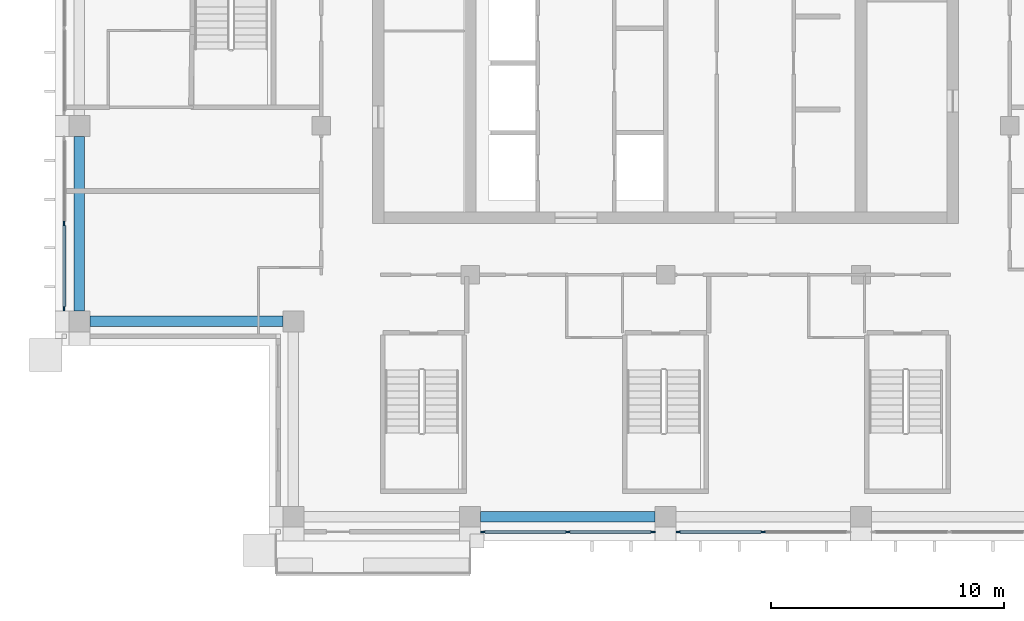
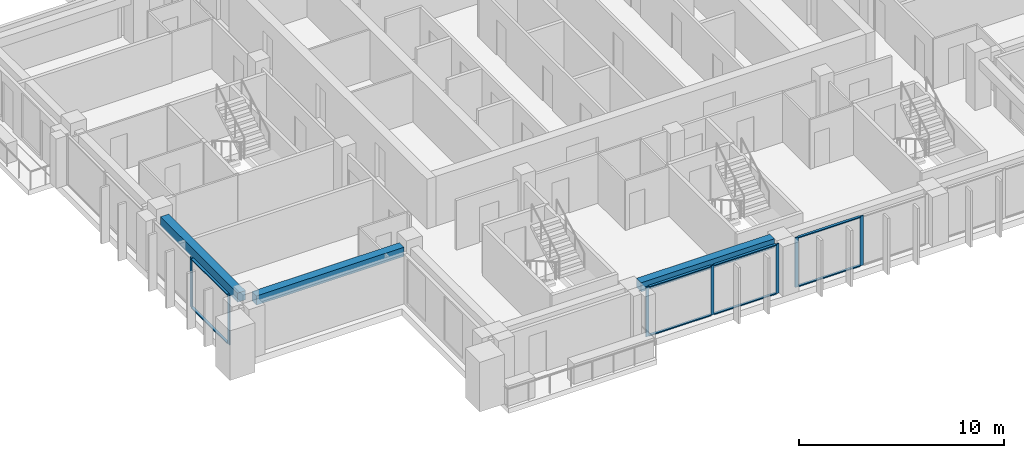
# One storey, part 2 of 18: 15 members, 3 beams, 3 elements without a shape of their own.
"""IFC4 building model written with IfcOpenShell, lengths in metres."""

from ifc_helpers import new_model, si_unit, direction, frame, origin, origin_2d, place, context, subcontext, project, spatial, rectangle, extrude, material, material_profile, profile_set, type_object, element, aggregate, save


model = new_model("IFC4")

# Units and contexts
model_context = context("Model", 3, precision=1e-05, world=origin(), true_north=direction((0.0, 1.0)))
body_context = subcontext(model_context, "Body", "Model", "MODEL_VIEW")
ifc_project = project(units=[si_unit("LENGTHUNIT", "METRE"), si_unit("AREAUNIT", "SQUARE_METRE"), si_unit("VOLUMEUNIT", "CUBIC_METRE"), si_unit("PLANEANGLEUNIT", "RADIAN"), si_unit("MASSUNIT", "GRAM", prefix="KILO")], contexts=[model_context])

# Site, building, storey
site_placement = place(None, origin())
site = spatial("IfcSite", under=ifc_project, at=site_placement, CompositionType="ELEMENT")
building_placement = place(site_placement, origin())
building = spatial("IfcBuilding", under=site, at=building_placement, Name="Vermilion Ogive Tower", CompositionType="ELEMENT")
storey_placement = place(building_placement, frame((0.0, 0.0, 261.39990234375)))
storey = spatial("IfcBuildingStorey", under=building, at=storey_placement, Name="L69", CompositionType="ELEMENT", Elevation=261.39990234375)

# Curtain wall, members
ifc_material_1 = material(Name="Low-iron laminated glazing in aluminium frame", Category="aluminium")
curtain_wall_type = type_object("IfcCurtainWallType", Name="Curtain wall CW7", PredefinedType="NOTDEFINED", material=ifc_material_1)
curtain_wall_1_placement = place(storey_placement, origin())
curtain_wall_1 = element("IfcCurtainWall", 1, at=curtain_wall_1_placement, inside=storey, type_object=curtain_wall_type, Name="Glazed skin S2", PredefinedType="NOTDEFINED")
ifc_material_2 = material(Name="Aluminium mullion", Category="aluminium")
ifc_material_profile_1 = material_profile(ifc_material_2, rectangle(XDim=0.06005859375, YDim=0.179931640625, at=origin_2d()), Name="AL 60x180")
ifc_profile_set_1 = profile_set([ifc_material_profile_1], Name="Aluminium mullion")
member_type_1 = type_object("IfcMemberType", Name="CW7 mullion 60x180", PredefinedType="MULLION", material=ifc_profile_set_1)
member_1_placement = place(storey_placement, frame((-7.860107421875, -21.64990234375, 0.0), z_axis=(0.0, 0.0, 1.0), x_axis=(0.0, 1.0, 0.0)))
member_1 = element("IfcMember", 2, at=member_1_placement, type_object=member_type_1, Name="CW7-S2 mullion 1", PredefinedType="MULLION", context=body_context, shape_type="SweptSolid", body=[
    extrude(rectangle(XDim=0.06005859375, YDim=0.179931640625, at=origin_2d()), origin(), (0.0, 0.0, 1.0), 2.9501953125),
])
member_2_placement = place(storey_placement, frame((-4.199951171875, -21.64990234375, 0.0), z_axis=(0.0, 0.0, 1.0), x_axis=(0.0, 1.0, 0.0)))
member_2 = element("IfcMember", 3, at=member_2_placement, type_object=member_type_1, Name="CW7-S2 mullion 2", PredefinedType="MULLION", context=body_context, shape_type="SweptSolid", body=[
    extrude(rectangle(XDim=0.06005859375, YDim=0.179931640625, at=origin_2d()), origin(), (0.0, 0.0, 1.0), 2.9501953125),
])
member_3_placement = place(storey_placement, frame((-0.5400390625, -21.64990234375, 0.0), z_axis=(0.0, 0.0, 1.0), x_axis=(0.0, 1.0, 0.0)))
member_3 = element("IfcMember", 4, at=member_3_placement, type_object=member_type_1, Name="CW7-S2 mullion 3", PredefinedType="MULLION", context=body_context, shape_type="SweptSolid", body=[
    extrude(rectangle(XDim=0.06005859375, YDim=0.179931640625, at=origin_2d()), origin(), (0.0, 0.0, 1.0), 2.9501953125),
])

curtain_wall_2_placement = place(storey_placement, origin())
curtain_wall_2 = element("IfcCurtainWall", 5, at=curtain_wall_2_placement, inside=storey, type_object=curtain_wall_type, Name="Glazed skin S3", PredefinedType="NOTDEFINED")
member_4_placement = place(storey_placement, frame((0.5400390625, -21.64990234375, 0.0), z_axis=(0.0, 0.0, 1.0), x_axis=(0.0, 1.0, 0.0)))
member_4 = element("IfcMember", 6, at=member_4_placement, type_object=member_type_1, Name="CW7-S3 mullion 1", PredefinedType="MULLION", context=body_context, shape_type="SweptSolid", body=[
    extrude(rectangle(XDim=0.06005859375, YDim=0.179931640625, at=origin_2d()), origin(), (0.0, 0.0, 1.0), 2.9501953125),
])
member_5_placement = place(storey_placement, frame((4.199951171875, -21.64990234375, 0.0), z_axis=(0.0, 0.0, 1.0), x_axis=(0.0, 1.0, 0.0)))
member_5 = element("IfcMember", 7, at=member_5_placement, type_object=member_type_1, Name="CW7-S3 mullion 2", PredefinedType="MULLION", context=body_context, shape_type="SweptSolid", body=[
    extrude(rectangle(XDim=0.06005859375, YDim=0.179931640625, at=origin_2d()), origin(), (0.0, 0.0, 1.0), 2.9501953125),
])

curtain_wall_3_placement = place(storey_placement, origin())
curtain_wall_3 = element("IfcCurtainWall", 8, at=curtain_wall_3_placement, inside=storey, type_object=curtain_wall_type, Name="Glazed skin W3", PredefinedType="NOTDEFINED")
member_6_placement = place(storey_placement, frame((-25.85009765625, -8.39990234375, 0.0), z_axis=(0.0, 0.0, 1.0), x_axis=(1.0, 0.0, 0.0)))
member_6 = element("IfcMember", 9, at=member_6_placement, type_object=member_type_1, Name="CW7-W3 mullion 2", PredefinedType="MULLION", context=body_context, shape_type="SweptSolid", body=[
    extrude(rectangle(XDim=0.06005859375, YDim=0.179931640625, at=origin_2d()), origin(), (0.0, 0.0, 1.0), 2.9501953125),
])
member_7_placement = place(storey_placement, frame((-25.85009765625, -12.06005859375, 0.0), z_axis=(0.0, 0.0, 1.0), x_axis=(1.0, 0.0, 0.0)))
member_7 = element("IfcMember", 10, at=member_7_placement, type_object=member_type_1, Name="CW7-W3 mullion 3", PredefinedType="MULLION", context=body_context, shape_type="SweptSolid", body=[
    extrude(rectangle(XDim=0.06005859375, YDim=0.179931640625, at=origin_2d()), origin(), (0.0, 0.0, 1.0), 2.9501953125),
])

# Member
ifc_material_3 = material(Name="Aluminium transom", Category="aluminium")
ifc_material_profile_2 = material_profile(ifc_material_3, rectangle(XDim=0.139892578125, YDim=0.06005859375, at=origin_2d()), Name="AL 60x140")
ifc_profile_set_2 = profile_set([ifc_material_profile_2], Name="Aluminium transom")
member_type_2 = type_object("IfcMemberType", Name="CW7 transom 60x140", PredefinedType="USERDEFINED", material=ifc_profile_set_2)
member_8_placement = place(storey_placement, frame((-7.77001953125, -21.64990234375, 0.030029296875), z_axis=(1.0, 0.0, 0.0), x_axis=(0.0, 1.0, 0.0)))
member_8 = element("IfcMember", 11, at=member_8_placement, type_object=member_type_2, Name="CW7-S2 transom 1.1", ObjectType="TRANSOM", PredefinedType="USERDEFINED", context=body_context, shape_type="SweptSolid", body=[
    extrude(rectangle(XDim=0.139892578125, YDim=0.06005859375, at=origin_2d()), origin(), (0.0, 0.0, 1.0), 3.47998046875),
])

member_9_placement = place(storey_placement, frame((-7.77001953125, -21.64990234375, 2.920166015625), z_axis=(1.0, 0.0, 0.0), x_axis=(0.0, 1.0, 0.0)))
member_9 = element("IfcMember", 12, at=member_9_placement, type_object=member_type_2, Name="CW7-S2 transom 1.2", ObjectType="TRANSOM", PredefinedType="USERDEFINED", context=body_context, shape_type="SweptSolid", body=[
    extrude(rectangle(XDim=0.139892578125, YDim=0.06005859375, at=origin_2d()), origin(), (0.0, 0.0, 1.0), 3.47998046875),
])

member_10_placement = place(storey_placement, frame((-4.110107421875, -21.64990234375, 0.030029296875), z_axis=(1.0, 0.0, 0.0), x_axis=(0.0, 1.0, 0.0)))
member_10 = element("IfcMember", 13, at=member_10_placement, type_object=member_type_2, Name="CW7-S2 transom 2.1", ObjectType="TRANSOM", PredefinedType="USERDEFINED", context=body_context, shape_type="SweptSolid", body=[
    extrude(rectangle(XDim=0.139892578125, YDim=0.06005859375, at=origin_2d()), origin(), (0.0, 0.0, 1.0), 3.480224609375),
])

member_11_placement = place(storey_placement, frame((-4.110107421875, -21.64990234375, 2.920166015625), z_axis=(1.0, 0.0, 0.0), x_axis=(0.0, 1.0, 0.0)))
member_11 = element("IfcMember", 14, at=member_11_placement, type_object=member_type_2, Name="CW7-S2 transom 2.2", ObjectType="TRANSOM", PredefinedType="USERDEFINED", context=body_context, shape_type="SweptSolid", body=[
    extrude(rectangle(XDim=0.139892578125, YDim=0.06005859375, at=origin_2d()), origin(), (0.0, 0.0, 1.0), 3.480224609375),
])

aggregate(curtain_wall_1, [member_1, member_2, member_3, member_8, member_9, member_10, member_11])

member_12_placement = place(storey_placement, frame((0.6298828125, -21.64990234375, 0.030029296875), z_axis=(1.0, 0.0, 0.0), x_axis=(0.0, 1.0, 0.0)))
member_12 = element("IfcMember", 15, at=member_12_placement, type_object=member_type_2, Name="CW7-S3 transom 1.1", ObjectType="TRANSOM", PredefinedType="USERDEFINED", context=body_context, shape_type="SweptSolid", body=[
    extrude(rectangle(XDim=0.139892578125, YDim=0.06005859375, at=origin_2d()), origin(), (0.0, 0.0, 1.0), 3.480224609375),
])

member_13_placement = place(storey_placement, frame((0.6298828125, -21.64990234375, 2.920166015625), z_axis=(1.0, 0.0, 0.0), x_axis=(0.0, 1.0, 0.0)))
member_13 = element("IfcMember", 16, at=member_13_placement, type_object=member_type_2, Name="CW7-S3 transom 1.2", ObjectType="TRANSOM", PredefinedType="USERDEFINED", context=body_context, shape_type="SweptSolid", body=[
    extrude(rectangle(XDim=0.139892578125, YDim=0.06005859375, at=origin_2d()), origin(), (0.0, 0.0, 1.0), 3.480224609375),
])

aggregate(curtain_wall_2, [member_4, member_5, member_12, member_13])

member_14_placement = place(storey_placement, frame((-25.85009765625, -8.489990234375, 0.030029296875), z_axis=(0.0, -1.0, 0.0), x_axis=(1.0, 0.0, 0.0)))
member_14 = element("IfcMember", 17, at=member_14_placement, type_object=member_type_2, Name="CW7-W3 transom 2.1", ObjectType="TRANSOM", PredefinedType="USERDEFINED", context=body_context, shape_type="SweptSolid", body=[
    extrude(rectangle(XDim=0.139892578125, YDim=0.06005859375, at=origin_2d()), origin(), (0.0, 0.0, 1.0), 3.47998046875),
])

member_15_placement = place(storey_placement, frame((-25.85009765625, -8.489990234375, 2.920166015625), z_axis=(0.0, -1.0, 0.0), x_axis=(1.0, 0.0, 0.0)))
member_15 = element("IfcMember", 18, at=member_15_placement, type_object=member_type_2, Name="CW7-W3 transom 2.2", ObjectType="TRANSOM", PredefinedType="USERDEFINED", context=body_context, shape_type="SweptSolid", body=[
    extrude(rectangle(XDim=0.139892578125, YDim=0.06005859375, at=origin_2d()), origin(), (0.0, 0.0, 1.0), 3.47998046875),
])

aggregate(curtain_wall_3, [member_6, member_7, member_14, member_15])

# Beams
ifc_material_4 = material(Name="Concrete B45", Category="concrete")
ifc_material_profile_3 = material_profile(ifc_material_4, rectangle(XDim=0.449951171875, YDim=0.550048828125, at=origin_2d()), Name="450 x 550")
ifc_profile_set_3 = profile_set([ifc_material_profile_3], Name="Concrete B45")
beam_type = type_object("IfcBeamType", Name="Edge beam 450 x 550 B45", PredefinedType="BEAM", material=ifc_profile_set_3)
for number, where, z_axis, x_axis, name in (
    (19, (-7.949951171875, -21.0, 2.675048828125), (1.0, 0.0, 0.0), (0.0, 1.0, 0.0), "L69-EB-2"),
    (20, (-25.199951171875, -4.64990234375, 2.675048828125), (0.0, -1.0, 0.0), (1.0, 0.0, 0.0), "L69-EB-16"),
):
    element("IfcBeam", number, at=place(storey_placement, frame(where, z_axis=z_axis, x_axis=x_axis)), inside=storey, type_object=beam_type, Name=name, PredefinedType="BEAM", context=body_context, shape_type="SweptSolid", body=[
        extrude(rectangle(XDim=0.449951171875, YDim=0.550048828125, at=origin_2d()), origin(), (0.0, 0.0, 1.0), 7.5),
    ])
beam_placement = place(storey_placement, frame((-24.75, -12.60009765625, 2.675048828125), z_axis=(1.0, 0.0, 0.0), x_axis=(0.0, 1.0, 0.0)))
element("IfcBeam", 21, at=beam_placement, inside=storey, type_object=beam_type, Name="L69-EB-17", PredefinedType="BEAM", context=body_context, shape_type="SweptSolid", body=[
    extrude(rectangle(XDim=0.449951171875, YDim=0.550048828125, at=origin_2d()), origin(), (0.0, 0.0, 1.0), 8.300048828125),
])

save(model, "model.ifc")
